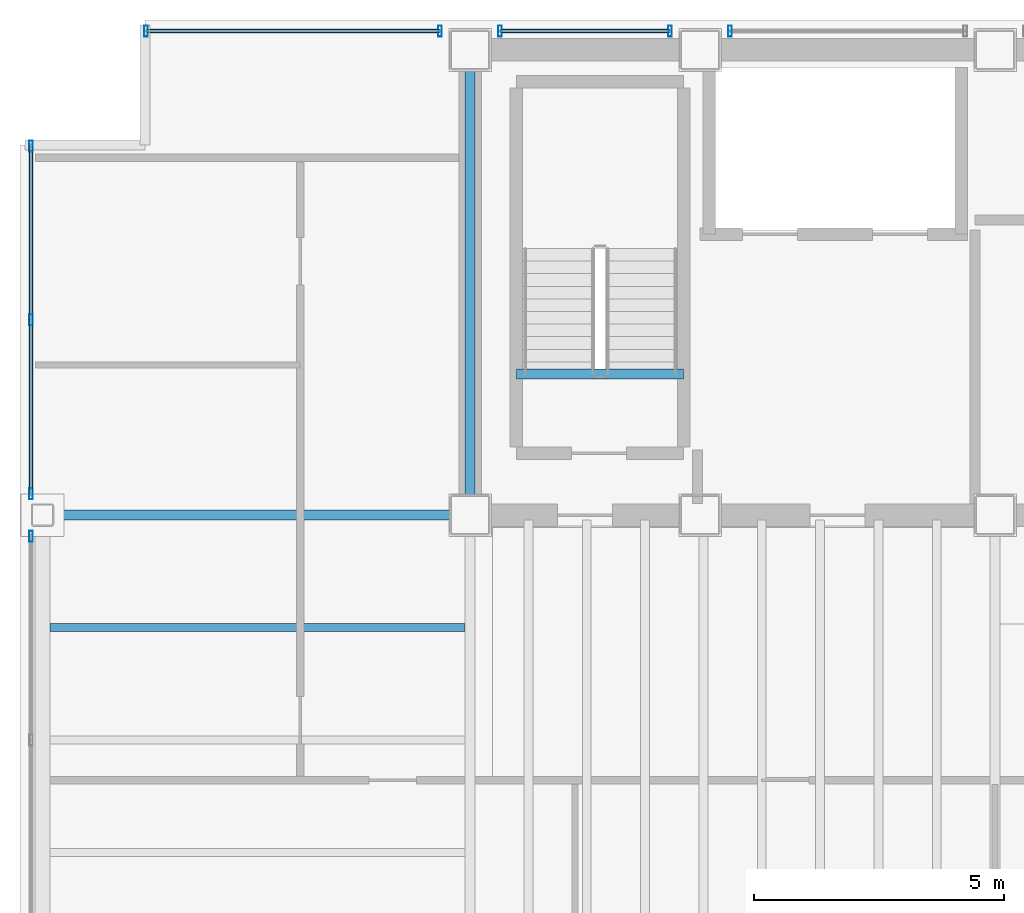
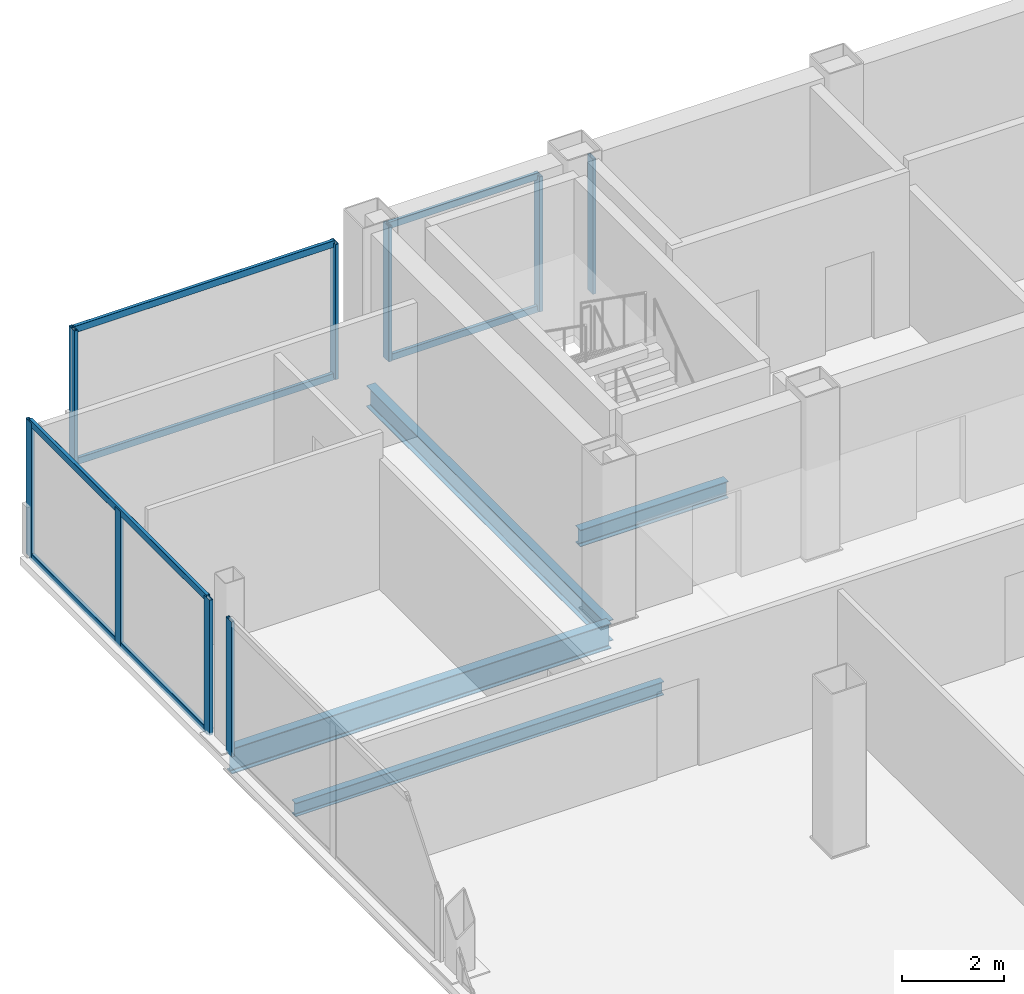
# One storey, part 8 of 16: 15 members, 4 beams, 5 elements without a shape of their own.
"""IFC4 building model written with IfcOpenShell, lengths in metres."""

from ifc_helpers import new_model, si_unit, direction, frame, origin, origin_2d, place, context, subcontext, project, spatial, hollow_rectangle, i_section, extrude, material, material_profile, profile_set, type_object, element, aggregate, save


model = new_model("IFC4")

# Units and contexts
model_context = context("Model", 3, precision=1e-05, world=origin(), true_north=direction((0.0, 1.0)))
body_context = subcontext(model_context, "Body", "Model", "MODEL_VIEW")
ifc_project = project(units=[si_unit("LENGTHUNIT", "METRE"), si_unit("AREAUNIT", "SQUARE_METRE"), si_unit("VOLUMEUNIT", "CUBIC_METRE"), si_unit("PLANEANGLEUNIT", "RADIAN"), si_unit("MASSUNIT", "GRAM", prefix="KILO")], contexts=[model_context])

# Site, building, storey
site_placement = place(None, origin())
site = spatial("IfcSite", under=ifc_project, at=site_placement, CompositionType="ELEMENT")
building_placement = place(site_placement, origin())
building = spatial("IfcBuilding", under=site, at=building_placement, Name="Noeulbin Bourse Tower", CompositionType="ELEMENT")
storey_placement = place(building_placement, frame((0.0, 0.0, 238.39990234375)))
storey = spatial("IfcBuildingStorey", under=building, at=storey_placement, Name="L59", CompositionType="ELEMENT", Elevation=238.39990234375)

# Beams
ifc_material_1 = material(Name="Steel S355", Category="steel")
ifc_material_profile_1 = material_profile(ifc_material_1, i_section(OverallWidth=0.199951171875, OverallDepth=0.5, WebThickness=0.010009765625, FlangeThickness=0.01611328125, FilletRadius=0.02001953125, at=origin_2d()), Name="H-500x200x10x16", Category="LoadBearing")
ifc_profile_set_1 = profile_set([ifc_material_profile_1], Name="Steel S355")
beam_type_1 = type_object("IfcBeamType", Name="BM-GRD-500", PredefinedType="USERDEFINED", material=ifc_profile_set_1)
beam_1_placement = place(storey_placement, frame((13.5, 29.0, -0.429931640625), z_axis=(0.0, 1.0, 0.0), x_axis=(-1.0, 0.0, 0.0)))
element("IfcBeam", 1, at=beam_1_placement, inside=storey, type_object=beam_type_1, Name="Tower Primary Girder NS L59-1.3", ObjectType="GIRDER", PredefinedType="USERDEFINED", context=body_context, shape_type="SweptSolid", body=[
    extrude(i_section(OverallWidth=0.199951171875, OverallDepth=0.5, WebThickness=0.010009765625, FlangeThickness=0.01611328125, FilletRadius=0.02001953125, at=origin_2d()), origin(), (0.0, 0.0, 1.0), 9.300048828125),
])
ifc_material_profile_2 = material_profile(ifc_material_1, i_section(OverallWidth=0.199951171875, OverallDepth=0.60009765625, WebThickness=0.010986328125, FlangeThickness=0.01708984375, FilletRadius=0.02197265625, at=origin_2d()), Name="H-600x200x11x17", Category="LoadBearing")
ifc_profile_set_2 = profile_set([ifc_material_profile_2], Name="Steel S355")
beam_type_2 = type_object("IfcBeamType", Name="BM-GRD-600", PredefinedType="USERDEFINED", material=ifc_profile_set_2)
beam_2_placement = place(storey_placement, frame((4.949951171875, 29.0, -0.47998046875), z_axis=(1.0, 0.0, 0.0), x_axis=(0.0, 1.0, 0.0)))
element("IfcBeam", 2, at=beam_2_placement, inside=storey, type_object=beam_type_2, Name="Tower Primary Girder EW L59-2.1", ObjectType="GIRDER", PredefinedType="USERDEFINED", context=body_context, shape_type="SweptSolid", body=[
    extrude(i_section(OverallWidth=0.199951171875, OverallDepth=0.60009765625, WebThickness=0.010986328125, FlangeThickness=0.01708984375, FilletRadius=0.02197265625, at=origin_2d()), origin(), (0.0, 0.0, 1.0), 8.550048828125),
])
ifc_material_profile_3 = material_profile(ifc_material_1, i_section(OverallWidth=0.159912109375, OverallDepth=0.320068359375, WebThickness=0.006591796875, FlangeThickness=0.010009765625, FilletRadius=0.012939453125, at=origin_2d()), Name="H-320x160x6.5x10", Category="LoadBearing")
ifc_profile_set_3 = profile_set([ifc_material_profile_3], Name="Steel S355")
beam_type_3 = type_object("IfcBeamType", Name="BM-JST-320", PredefinedType="JOIST", material=ifc_profile_set_3)
beam_3_placement = place(storey_placement, frame((5.10009765625, 26.75, -0.33984375), z_axis=(1.0, 0.0, 0.0), x_axis=(0.0, 1.0, 0.0)))
element("IfcBeam", 3, at=beam_3_placement, inside=storey, type_object=beam_type_3, Name="Wing Composite Joist L59-W39", PredefinedType="JOIST", context=body_context, shape_type="SweptSolid", body=[
    extrude(i_section(OverallWidth=0.159912109375, OverallDepth=0.320068359375, WebThickness=0.006591796875, FlangeThickness=0.010009765625, FilletRadius=0.012939453125, at=origin_2d()), origin(), (0.0, 0.0, 1.0), 8.2998046875),
])
ifc_material_profile_4 = material_profile(ifc_material_1, i_section(OverallWidth=0.199951171875, OverallDepth=0.39990234375, WebThickness=0.008056640625, FlangeThickness=0.012939453125, FilletRadius=0.01611328125, at=origin_2d()), Name="H-400x200x8x13", Category="LoadBearing")
ifc_profile_set_4 = profile_set([ifc_material_profile_4], Name="Steel S355")
beam_type_4 = type_object("IfcBeamType", Name="BM-SEC-400", PredefinedType="BEAM", material=ifc_profile_set_4)
beam_4_placement = place(storey_placement, frame((14.429931640625, 31.820068359375, -0.199951171875), z_axis=(1.0, 0.0, 0.0), x_axis=(0.0, 1.0, 0.0)))
element("IfcBeam", 4, at=beam_4_placement, inside=storey, type_object=beam_type_4, Name="Stair Threshold Trimmer Beam ST1-L59", PredefinedType="BEAM", context=body_context, shape_type="SweptSolid", body=[
    extrude(i_section(OverallWidth=0.199951171875, OverallDepth=0.39990234375, WebThickness=0.008056640625, FlangeThickness=0.012939453125, FilletRadius=0.01611328125, at=origin_2d()), origin(), (0.0, 0.0, 1.0), 3.340087890625),
])

# Curtain wall, members
ifc_material_2 = material(Name="High-Selectivity Low-Iron Glazing", Category="glass")
curtain_wall_type = type_object("IfcCurtainWallType", Name="CW-SYS-4", PredefinedType="NOTDEFINED", material=ifc_material_2)
curtain_wall_1_placement = place(storey_placement, origin())
curtain_wall_1 = element("IfcCurtainWall", 5, at=curtain_wall_1_placement, inside=storey, type_object=curtain_wall_type, Name="Unitised Curtain Wall CW-L59-N-S1", PredefinedType="NOTDEFINED")
ifc_material_3 = material(Name="Anodised Aluminium 6063-T6", Category="aluminium")
ifc_material_profile_5 = material_profile(ifc_material_3, hollow_rectangle(XDim=0.074951171875, YDim=0.219970703125, WallThickness=0.0048828125, InnerFilletRadius=0.00244140625, OuterFilletRadius=0.0048828125, at=origin_2d()), Name="ALU-MULL-75x220x5", Category="LoadBearing")
ifc_profile_set_5 = profile_set([ifc_material_profile_5], Name="Anodised Aluminium 6063-T6")
member_type_1 = type_object("IfcMemberType", Name="CW-SYS-4-MUL", PredefinedType="MULLION", material=ifc_profile_set_5)
member_1_placement = place(storey_placement, frame((7.02001953125, 38.679931640625, -0.02001953125), z_axis=(0.0, 0.0, 1.0), x_axis=(1.0, 0.0, 0.0)))
member_1 = element("IfcMember", 6, at=member_1_placement, type_object=member_type_1, Name="Curtain Wall Mullion CW-L59-N-S1-M00", PredefinedType="MULLION", context=body_context, shape_type="SweptSolid", body=[
    extrude(hollow_rectangle(XDim=0.074951171875, YDim=0.219970703125, WallThickness=0.0048828125, InnerFilletRadius=0.00244140625, OuterFilletRadius=0.0048828125, at=origin_2d()), origin(), (0.0, 0.0, 1.0), 3.22021484375),
])
member_2_placement = place(storey_placement, frame((12.89990234375, 38.679931640625, -0.02001953125), z_axis=(0.0, 0.0, 1.0), x_axis=(1.0, 0.0, 0.0)))
member_2 = element("IfcMember", 7, at=member_2_placement, type_object=member_type_1, Name="Curtain Wall Mullion CW-L59-N-S1-M01", PredefinedType="MULLION", context=body_context, shape_type="SweptSolid", body=[
    extrude(hollow_rectangle(XDim=0.074951171875, YDim=0.219970703125, WallThickness=0.0048828125, InnerFilletRadius=0.00244140625, OuterFilletRadius=0.0048828125, at=origin_2d()), origin(), (0.0, 0.0, 1.0), 3.22021484375),
])

curtain_wall_2_placement = place(storey_placement, origin())
curtain_wall_2 = element("IfcCurtainWall", 8, at=curtain_wall_2_placement, inside=storey, type_object=curtain_wall_type, Name="Unitised Curtain Wall CW-L59-N-S2", PredefinedType="NOTDEFINED")
member_3_placement = place(storey_placement, frame((14.10009765625, 38.679931640625, -0.02001953125), z_axis=(0.0, 0.0, 1.0), x_axis=(1.0, 0.0, 0.0)))
member_3 = element("IfcMember", 9, at=member_3_placement, type_object=member_type_1, Name="Curtain Wall Mullion CW-L59-N-S2-M00", PredefinedType="MULLION", context=body_context, shape_type="SweptSolid", body=[
    extrude(hollow_rectangle(XDim=0.074951171875, YDim=0.219970703125, WallThickness=0.0048828125, InnerFilletRadius=0.00244140625, OuterFilletRadius=0.0048828125, at=origin_2d()), origin(), (0.0, 0.0, 1.0), 3.22021484375),
])
member_4_placement = place(storey_placement, frame((17.5, 38.679931640625, -0.02001953125), z_axis=(0.0, 0.0, 1.0), x_axis=(1.0, 0.0, 0.0)))
member_4 = element("IfcMember", 10, at=member_4_placement, type_object=member_type_1, Name="Curtain Wall Mullion CW-L59-N-S2-M01", PredefinedType="MULLION", context=body_context, shape_type="SweptSolid", body=[
    extrude(hollow_rectangle(XDim=0.074951171875, YDim=0.219970703125, WallThickness=0.0048828125, InnerFilletRadius=0.00244140625, OuterFilletRadius=0.0048828125, at=origin_2d()), origin(), (0.0, 0.0, 1.0), 3.22021484375),
])

# Curtain wall, member
curtain_wall_3_placement = place(storey_placement, origin())
curtain_wall_3 = element("IfcCurtainWall", 11, at=curtain_wall_3_placement, inside=storey, type_object=curtain_wall_type, Name="Unitised Curtain Wall CW-L59-N-S3", PredefinedType="NOTDEFINED")
member_5_placement = place(storey_placement, frame((18.699951171875, 38.679931640625, -0.02001953125), z_axis=(0.0, 0.0, 1.0), x_axis=(1.0, 0.0, 0.0)))
member_5 = element("IfcMember", 12, at=member_5_placement, type_object=member_type_1, Name="Curtain Wall Mullion CW-L59-N-S3-M00", PredefinedType="MULLION", context=body_context, shape_type="SweptSolid", body=[
    extrude(hollow_rectangle(XDim=0.074951171875, YDim=0.219970703125, WallThickness=0.0048828125, InnerFilletRadius=0.00244140625, OuterFilletRadius=0.0048828125, at=origin_2d()), origin(), (0.0, 0.0, 1.0), 3.22021484375),
])
aggregate(curtain_wall_3, [member_5])

curtain_wall_4_placement = place(storey_placement, origin())
curtain_wall_4 = element("IfcCurtainWall", 13, at=curtain_wall_4_placement, inside=storey, type_object=curtain_wall_type, Name="Unitised Curtain Wall CW-L59-W-S2", PredefinedType="NOTDEFINED")
member_6_placement = place(storey_placement, frame((4.719970703125, 28.574951171875, -0.02001953125), z_axis=(0.0, 0.0, 1.0), x_axis=(1.0, 0.0, 0.0)))
member_6 = element("IfcMember", 14, at=member_6_placement, type_object=member_type_1, Name="Curtain Wall Mullion CW-L59-W-S2-M02", PredefinedType="MULLION", context=body_context, shape_type="SweptSolid", body=[
    extrude(hollow_rectangle(XDim=0.074951171875, YDim=0.219970703125, WallThickness=0.0048828125, InnerFilletRadius=0.00244140625, OuterFilletRadius=0.0048828125, at=origin_2d()), origin(), (0.0, 0.0, 1.0), 3.22021484375),
])
aggregate(curtain_wall_4, [member_6])

# Curtain wall, members
curtain_wall_5_placement = place(storey_placement, origin())
curtain_wall_5 = element("IfcCurtainWall", 15, at=curtain_wall_5_placement, inside=storey, type_object=curtain_wall_type, Name="Unitised Curtain Wall CW-L59-W-S3", PredefinedType="NOTDEFINED")
member_7_placement = place(storey_placement, frame((4.719970703125, 29.425048828125, -0.02001953125), z_axis=(0.0, 0.0, 1.0), x_axis=(1.0, 0.0, 0.0)))
member_7 = element("IfcMember", 16, at=member_7_placement, type_object=member_type_1, Name="Curtain Wall Mullion CW-L59-W-S3-M00", PredefinedType="MULLION", context=body_context, shape_type="SweptSolid", body=[
    extrude(hollow_rectangle(XDim=0.074951171875, YDim=0.219970703125, WallThickness=0.0048828125, InnerFilletRadius=0.00244140625, OuterFilletRadius=0.0048828125, at=origin_2d()), origin(), (0.0, 0.0, 1.0), 3.22021484375),
])
member_8_placement = place(storey_placement, frame((4.719970703125, 32.902587890625, -0.02001953125), z_axis=(0.0, 0.0, 1.0), x_axis=(1.0, 0.0, 0.0)))
member_8 = element("IfcMember", 17, at=member_8_placement, type_object=member_type_1, Name="Curtain Wall Mullion CW-L59-W-S3-M01", PredefinedType="MULLION", context=body_context, shape_type="SweptSolid", body=[
    extrude(hollow_rectangle(XDim=0.074951171875, YDim=0.219970703125, WallThickness=0.0048828125, InnerFilletRadius=0.00244140625, OuterFilletRadius=0.0048828125, at=origin_2d()), origin(), (0.0, 0.0, 1.0), 3.22021484375),
])
member_9_placement = place(storey_placement, frame((4.719970703125, 36.3798828125, -0.02001953125), z_axis=(0.0, 0.0, 1.0), x_axis=(1.0, 0.0, 0.0)))
member_9 = element("IfcMember", 18, at=member_9_placement, type_object=member_type_1, Name="Curtain Wall Mullion CW-L59-W-S3-M02", PredefinedType="MULLION", context=body_context, shape_type="SweptSolid", body=[
    extrude(hollow_rectangle(XDim=0.074951171875, YDim=0.219970703125, WallThickness=0.0048828125, InnerFilletRadius=0.00244140625, OuterFilletRadius=0.0048828125, at=origin_2d()), origin(), (0.0, 0.0, 1.0), 3.22021484375),
])

# Member
ifc_material_profile_6 = material_profile(ifc_material_3, hollow_rectangle(XDim=0.074951171875, YDim=0.159912109375, WallThickness=0.0048828125, InnerFilletRadius=0.00244140625, OuterFilletRadius=0.0048828125, at=origin_2d()), Name="ALU-TRAN-75x160x5", Category="LoadBearing")
ifc_profile_set_6 = profile_set([ifc_material_profile_6], Name="Anodised Aluminium 6063-T6")
member_type_2 = type_object("IfcMemberType", Name="CW-SYS-4-TRN", PredefinedType="USERDEFINED", material=ifc_profile_set_6)
member_10_placement = place(storey_placement, frame((7.030029296875, 38.679931640625, 0.010009765625), z_axis=(1.0, 0.0, 0.0), x_axis=(0.0, 1.0, 0.0)))
member_10 = element("IfcMember", 19, at=member_10_placement, type_object=member_type_2, Name="Curtain Wall Transom CW-L59-N-S1-T00", ObjectType="TRANSOM", PredefinedType="USERDEFINED", context=body_context, shape_type="SweptSolid", body=[
    extrude(hollow_rectangle(XDim=0.074951171875, YDim=0.159912109375, WallThickness=0.0048828125, InnerFilletRadius=0.00244140625, OuterFilletRadius=0.0048828125, at=origin_2d()), origin(), (0.0, 0.0, 1.0), 5.85986328125),
])

member_11_placement = place(storey_placement, frame((7.030029296875, 38.679931640625, 3.170166015625), z_axis=(1.0, 0.0, 0.0), x_axis=(0.0, 1.0, 0.0)))
member_11 = element("IfcMember", 20, at=member_11_placement, type_object=member_type_2, Name="Curtain Wall Transom CW-L59-N-S1-T01", ObjectType="TRANSOM", PredefinedType="USERDEFINED", context=body_context, shape_type="SweptSolid", body=[
    extrude(hollow_rectangle(XDim=0.074951171875, YDim=0.159912109375, WallThickness=0.0048828125, InnerFilletRadius=0.00244140625, OuterFilletRadius=0.0048828125, at=origin_2d()), origin(), (0.0, 0.0, 1.0), 5.85986328125),
])

aggregate(curtain_wall_1, [member_1, member_2, member_10, member_11])

member_12_placement = place(storey_placement, frame((14.110107421875, 38.679931640625, 0.010009765625), z_axis=(1.0, 0.0, 0.0), x_axis=(0.0, 1.0, 0.0)))
member_12 = element("IfcMember", 21, at=member_12_placement, type_object=member_type_2, Name="Curtain Wall Transom CW-L59-N-S2-T00", ObjectType="TRANSOM", PredefinedType="USERDEFINED", context=body_context, shape_type="SweptSolid", body=[
    extrude(hollow_rectangle(XDim=0.074951171875, YDim=0.159912109375, WallThickness=0.0048828125, InnerFilletRadius=0.00244140625, OuterFilletRadius=0.0048828125, at=origin_2d()), origin(), (0.0, 0.0, 1.0), 3.3798828125),
])

member_13_placement = place(storey_placement, frame((14.110107421875, 38.679931640625, 3.170166015625), z_axis=(1.0, 0.0, 0.0), x_axis=(0.0, 1.0, 0.0)))
member_13 = element("IfcMember", 22, at=member_13_placement, type_object=member_type_2, Name="Curtain Wall Transom CW-L59-N-S2-T01", ObjectType="TRANSOM", PredefinedType="USERDEFINED", context=body_context, shape_type="SweptSolid", body=[
    extrude(hollow_rectangle(XDim=0.074951171875, YDim=0.159912109375, WallThickness=0.0048828125, InnerFilletRadius=0.00244140625, OuterFilletRadius=0.0048828125, at=origin_2d()), origin(), (0.0, 0.0, 1.0), 3.3798828125),
])

aggregate(curtain_wall_2, [member_3, member_4, member_12, member_13])

member_14_placement = place(storey_placement, frame((4.719970703125, 29.43505859375, 0.010009765625), z_axis=(0.0, 1.0, 0.0), x_axis=(-1.0, 0.0, 0.0)))
member_14 = element("IfcMember", 23, at=member_14_placement, type_object=member_type_2, Name="Curtain Wall Transom CW-L59-W-S3-T00", ObjectType="TRANSOM", PredefinedType="USERDEFINED", context=body_context, shape_type="SweptSolid", body=[
    extrude(hollow_rectangle(XDim=0.074951171875, YDim=0.159912109375, WallThickness=0.0048828125, InnerFilletRadius=0.00244140625, OuterFilletRadius=0.0048828125, at=origin_2d()), origin(), (0.0, 0.0, 1.0), 6.93505859375),
])

member_15_placement = place(storey_placement, frame((4.719970703125, 29.43505859375, 3.170166015625), z_axis=(0.0, 1.0, 0.0), x_axis=(-1.0, 0.0, 0.0)))
member_15 = element("IfcMember", 24, at=member_15_placement, type_object=member_type_2, Name="Curtain Wall Transom CW-L59-W-S3-T01", ObjectType="TRANSOM", PredefinedType="USERDEFINED", context=body_context, shape_type="SweptSolid", body=[
    extrude(hollow_rectangle(XDim=0.074951171875, YDim=0.159912109375, WallThickness=0.0048828125, InnerFilletRadius=0.00244140625, OuterFilletRadius=0.0048828125, at=origin_2d()), origin(), (0.0, 0.0, 1.0), 6.93505859375),
])

aggregate(curtain_wall_5, [member_7, member_8, member_9, member_14, member_15])

save(model, "model.ifc")
